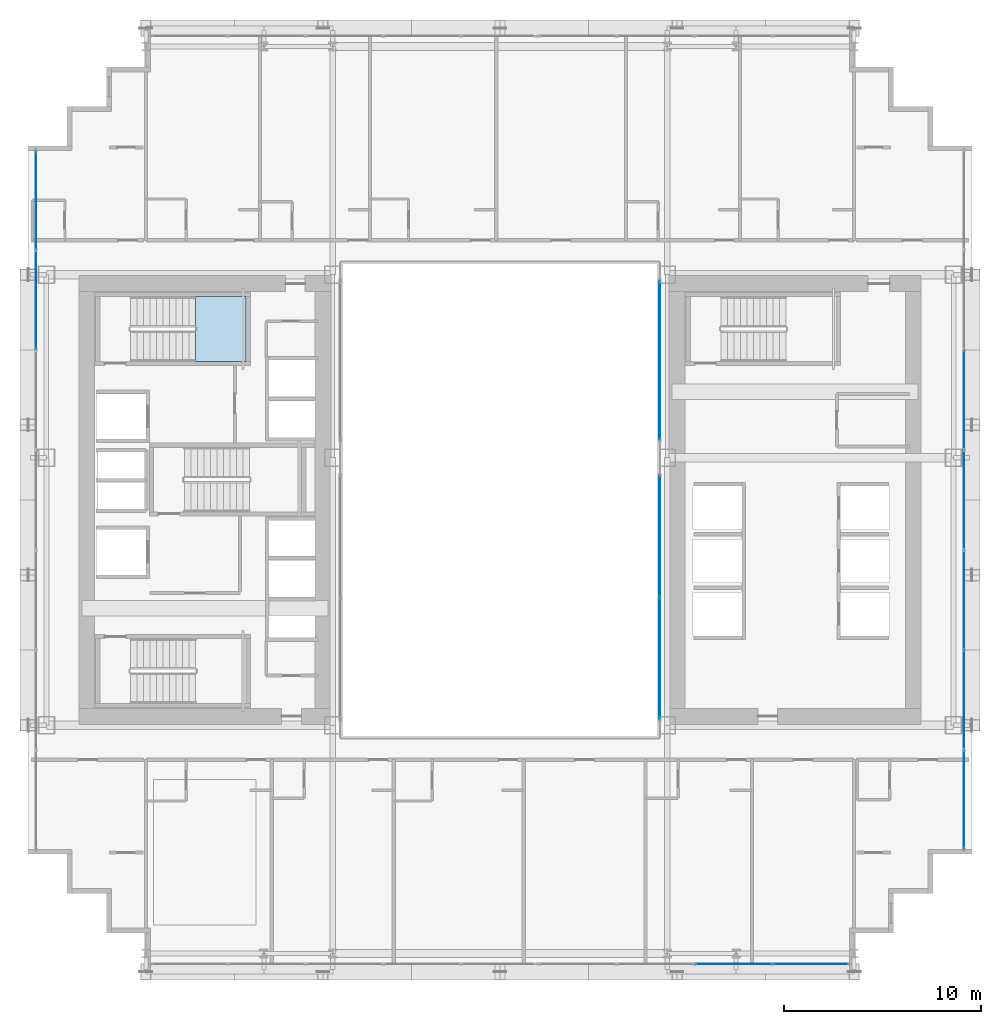
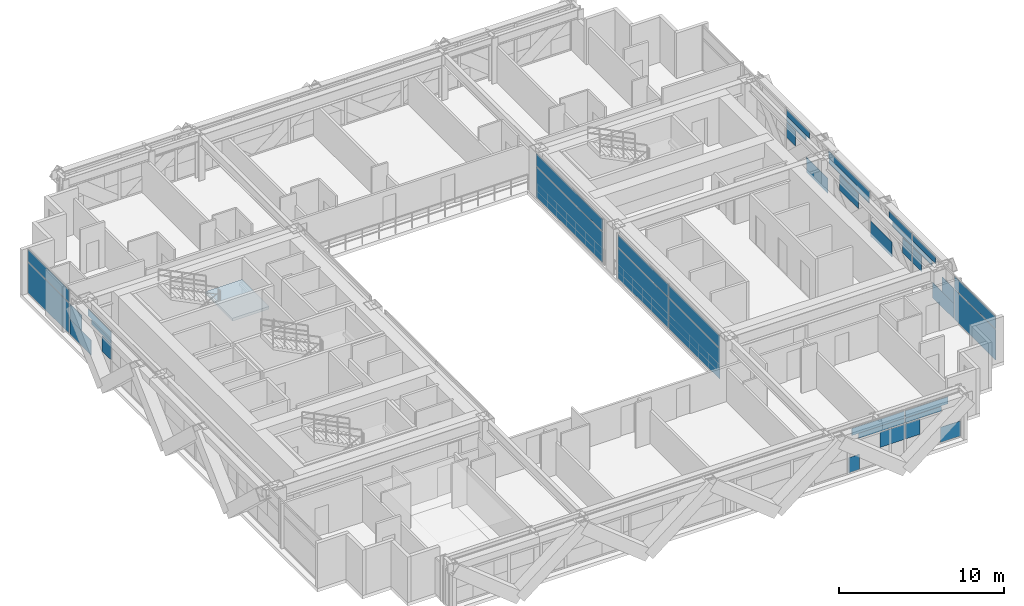
# One storey, part 29 of 41: 39 plates, 1 slab, 6 elements without a shape of their own.
"""IFC4 building model written with IfcOpenShell, lengths in metres."""

import ifcopenshell
import ifcopenshell.guid

model = None  # the IFC model being written
_history = None  # IfcOwnerHistory: only IFC2X3 demands one
_inside = {}  # id of a spatial element -> (the spatial element, [elements in it])
_under = {}  # id of a project, library or spatial element -> (it, [spatial elements below it])
_declared = {}  # id of a project -> (the project, [libraries it declares])
_typed = {}  # id of a type object -> (the type object, [elements of that type])
_made_of = {}  # id of a material, layer set ... -> (it, [elements and type objects made of it])


def new_model(schema):
    """Start an empty IFC model of exactly this schema.

    Asked for "IFC4X3", IfcOpenShell would pick the latest addendum, in which some entities
    have other attributes; the version numbers below select the first issue.
    IFC2X3 requires an IfcOwnerHistory on every rooted entity: one is made here for all.
    """
    global model, _history
    if schema == "IFC4X3":
        model = ifcopenshell.file(schema_version=(4, 3, 0, 0))
    else:
        model = ifcopenshell.file(schema=schema)
    _inside.clear()
    _under.clear()
    _declared.clear()
    _typed.clear()
    _made_of.clear()
    _history = None
    if model.schema == "IFC2X3":
        org = make("IfcOrganization", Name="unknown")
        user = make(
            "IfcPersonAndOrganization",
            ThePerson=make("IfcPerson", FamilyName="unknown"),
            TheOrganization=org,
        )
        app = make(
            "IfcApplication",
            ApplicationDeveloper=org,
            Version="unknown",
            ApplicationFullName="unknown",
            ApplicationIdentifier="unknown",
        )
        _history = make(
            "IfcOwnerHistory",
            OwningUser=user,
            OwningApplication=app,
            ChangeAction="ADDED",
            CreationDate=0,
        )
    return model


def make(cls, **values):
    """One entity of the class cls with the attributes given. An attribute that is None is left unset."""
    return model.create_entity(
        cls, **{name: value for name, value in values.items() if value is not None}
    )


def rooted(cls, **values):
    """An entity with a GlobalId (a new one), such as an element, a storey or a relation."""
    return make(cls, GlobalId=ifcopenshell.guid.new(), OwnerHistory=_history, **values)


def si_unit(unit_type, name, prefix=None):
    """IfcSIUnit, for example si_unit("LENGTHUNIT", "METRE", prefix="MILLI")."""
    return make("IfcSIUnit", UnitType=unit_type, Prefix=prefix, Name=name)


def assignment(units):
    """IfcUnitAssignment: the units of a project."""
    return None if units is None else make("IfcUnitAssignment", Units=units)


def point(xyz):
    """IfcCartesianPoint."""
    return None if xyz is None else make("IfcCartesianPoint", Coordinates=xyz)


def direction(xyz):
    """IfcDirection."""
    return None if xyz is None else make("IfcDirection", DirectionRatios=xyz)


def frame(location, z_axis=None, x_axis=None):
    """IfcAxis2Placement3D, a coordinate frame: its origin and axes. An axis left out is left unset."""
    return make(
        "IfcAxis2Placement3D",
        Location=point(location),
        Axis=direction(z_axis),
        RefDirection=direction(x_axis),
    )


def frame_2d(location, x_axis=None):
    """IfcAxis2Placement2D, a coordinate frame in the plane: its origin and x axis."""
    return make(
        "IfcAxis2Placement2D", Location=point(location), RefDirection=direction(x_axis)
    )


def origin():
    """The frame at (0, 0, 0) with its axes left unset."""
    return frame((0.0, 0.0, 0.0))


def origin_2d():
    """The frame at (0, 0) in the plane with its x axis left unset."""
    return frame_2d((0.0, 0.0))


def place(relative_to, where):
    """IfcLocalPlacement: puts the frame where relative to a parent placement (None: the world)."""
    return make(
        "IfcLocalPlacement", PlacementRelTo=relative_to, RelativePlacement=where
    )


def context(
    kind, dimensions, precision=None, world=None, true_north=None, identifier=None
):
    """IfcGeometricRepresentationContext, for example the 3D "Model" context."""
    return make(
        "IfcGeometricRepresentationContext",
        ContextIdentifier=identifier,
        ContextType=kind,
        CoordinateSpaceDimension=dimensions,
        Precision=precision,
        WorldCoordinateSystem=world,
        TrueNorth=true_north,
    )


def subcontext(parent, identifier, kind, view, scale=None):
    """IfcGeometricRepresentationSubContext, for example "Body" below "Model"."""
    return make(
        "IfcGeometricRepresentationSubContext",
        ContextIdentifier=identifier,
        ContextType=kind,
        ParentContext=parent,
        TargetScale=scale,
        TargetView=view,
    )


def project(units=None, contexts=None):
    """IfcProject with its units and contexts."""
    return rooted(
        "IfcProject",
        Name="project",
        RepresentationContexts=contexts,
        UnitsInContext=assignment(units),
    )


def spatial(cls, under=None, at=None, **own):
    """A site, building, storey or space (cls), placed at a placement, below another one or the project."""
    s = rooted(cls, ObjectPlacement=at, **own)
    if under is not None:
        _under.setdefault(under.id(), (under, []))[1].append(s)
    return s


def polyline(points):
    """IfcPolyline through the points."""
    return make("IfcPolyline", Points=[point(p) for p in points])


def profile(cls, at=None, kind="AREA", **sizes):
    """A parametric profile (cls). Its sizes go by their IFC names, for example OverallWidth=200.0."""
    return make(cls, ProfileType=kind, Position=at, **sizes)


def rectangle(**sizes):
    """IfcRectangleProfileDef."""
    return profile("IfcRectangleProfileDef", **sizes)


def outline(outer, holes=None, kind="AREA"):
    """IfcArbitraryClosedProfileDef: a profile drawn as a closed curve; with holes, ...WithVoids."""
    if holes is None:
        return make("IfcArbitraryClosedProfileDef", ProfileType=kind, OuterCurve=outer)
    return make(
        "IfcArbitraryProfileDefWithVoids",
        ProfileType=kind,
        OuterCurve=outer,
        InnerCurves=holes,
    )


def extrude(swept, where, along, depth):
    """IfcExtrudedAreaSolid: the profile swept, set in the frame where, extruded along a direction by depth."""
    return make(
        "IfcExtrudedAreaSolid",
        SweptArea=swept,
        Position=where,
        ExtrudedDirection=direction(along),
        Depth=depth,
    )


def shape(context_of_items, identifier, shape_type, items):
    """IfcShapeRepresentation: the items that make up one representation, for example the "Body"."""
    return make(
        "IfcShapeRepresentation",
        ContextOfItems=context_of_items,
        RepresentationIdentifier=identifier,
        RepresentationType=shape_type,
        Items=items,
    )


def source(mapping_origin, context_of_items, identifier, shape_type, items):
    """IfcRepresentationMap: a shape defined once, which mapped items show again and again."""
    return make(
        "IfcRepresentationMap",
        MappingOrigin=mapping_origin,
        MappedRepresentation=shape(context_of_items, identifier, shape_type, items),
    )


def transform(
    local_origin,
    x_axis=None,
    y_axis=None,
    z_axis=None,
    scale=None,
    scale2=None,
    scale3=None,
    uniform=True,
):
    """IfcCartesianTransformationOperator3D, or its non-uniform kind. x_axis, y_axis, z_axis: its Axis1, 2, 3."""
    if uniform:
        return make(
            "IfcCartesianTransformationOperator3D",
            Axis1=direction(x_axis),
            Axis2=direction(y_axis),
            LocalOrigin=point(local_origin),
            Scale=scale,
            Axis3=direction(z_axis),
        )
    return make(
        "IfcCartesianTransformationOperator3DnonUniform",
        Axis1=direction(x_axis),
        Axis2=direction(y_axis),
        LocalOrigin=point(local_origin),
        Scale=scale,
        Axis3=direction(z_axis),
        Scale2=scale2,
        Scale3=scale3,
    )


def mapped(mapping_source, mapping_target):
    """IfcMappedItem: shows the shape of a source again, moved by a transform."""
    return make(
        "IfcMappedItem", MappingSource=mapping_source, MappingTarget=mapping_target
    )


def material(Name=None, Category=None):
    """IfcMaterial."""
    return make("IfcMaterial", Name=Name, Category=Category)


def layer(
    of_material, thickness, ventilated=None, Name=None, Category=None, Priority=None
):
    """IfcMaterialLayer: one layer of a wall or slab, of a material (None: an air gap)."""
    return make(
        "IfcMaterialLayer",
        Material=of_material,
        LayerThickness=thickness,
        IsVentilated=ventilated,
        Name=Name,
        Category=Category,
        Priority=Priority,
    )


def layer_set(layers, Name=None):
    """IfcMaterialLayerSet."""
    return make("IfcMaterialLayerSet", MaterialLayers=layers, LayerSetName=Name)


def made_of(thing, what):
    """Note that an element or type object is made of a material, layer set ...; save() writes the relation."""
    if what is not None:
        _made_of.setdefault(what.id(), (what, []))[1].append(thing)
    return thing


def type_object(cls, material=None, **own):
    """A type object (cls), such as IfcWallType, which elements share."""
    return made_of(rooted(cls, **own), material)


def element(
    cls,
    number,
    at=None,
    inside=None,
    cuts=None,
    type_object=None,
    material=None,
    context=None,
    identifier="Body",
    shape_type=None,
    held_by="IfcProductDefinitionShape",
    body=None,
    shapes=None,
    **own,
):
    """One element of the class cls, such as IfcWall. Its Tag is "e" and its number.

    at: its placement. inside: the storey or other place that contains it. cuts: it is an
    opening in that element (IfcRelVoidsElement). A single representation is given by context,
    identifier, shape_type and body (its items); several are given by shapes. held_by: the class
    of the entity that holds the representations. save() writes the other relations.
    """
    e = rooted(cls, Tag="e%d" % number, ObjectPlacement=at, **own)
    if body is not None:
        shapes = [shape(context, identifier, shape_type, body)]
    if shapes is not None:
        e.Representation = make(held_by, Representations=shapes)
    if inside is not None:
        _inside.setdefault(inside.id(), (inside, []))[1].append(e)
    if cuts is not None:
        rooted(
            "IfcRelVoidsElement", RelatingBuildingElement=cuts, RelatedOpeningElement=e
        )
    if type_object is not None:
        _typed.setdefault(type_object.id(), (type_object, []))[1].append(e)
    return made_of(e, material)


def aggregate(whole, parts):
    """IfcRelAggregates: a whole, such as a stair, and the parts it consists of."""
    return rooted("IfcRelAggregates", RelatingObject=whole, RelatedObjects=parts)


def save(model, path):
    """Write the relations noted so far, then the file.

    IfcRelAggregates (storeys below a building ...), IfcRelContainedInSpatialStructure (elements
    in a storey), IfcRelDefinesByType, IfcRelAssociatesMaterial and IfcRelDeclares: one each for
    every whole, place, type object, material and project.
    """
    for whole, parts in _under.values():
        aggregate(whole, parts)
    for where, things in _inside.values():
        rooted(
            "IfcRelContainedInSpatialStructure",
            RelatedElements=things,
            RelatingStructure=where,
        )
    for kind, things in _typed.values():
        rooted("IfcRelDefinesByType", RelatedObjects=things, RelatingType=kind)
    for what, things in _made_of.values():
        rooted("IfcRelAssociatesMaterial", RelatedObjects=things, RelatingMaterial=what)
    for by, libraries in _declared.values():
        rooted("IfcRelDeclares", RelatingContext=by, RelatedDefinitions=libraries)
    model.write(path)


model = new_model("IFC4")

# Units and contexts
model_context = context("Model", 3, precision=1e-05, world=origin(), true_north=direction((0.0, 1.0)))
body_context = subcontext(model_context, "Body", "Model", "MODEL_VIEW")
ifc_project = project(units=[si_unit("LENGTHUNIT", "METRE"), si_unit("AREAUNIT", "SQUARE_METRE"), si_unit("VOLUMEUNIT", "CUBIC_METRE"), si_unit("PLANEANGLEUNIT", "RADIAN"), si_unit("MASSUNIT", "GRAM", prefix="KILO")], contexts=[model_context])

# Site, building, storey
site_placement = place(None, origin())
site = spatial("IfcSite", under=ifc_project, at=site_placement, CompositionType="ELEMENT")
building_placement = place(site_placement, origin())
building = spatial("IfcBuilding", under=site, at=building_placement, Name="Ocotamira Hotel", CompositionType="ELEMENT")
storey_placement = place(building_placement, frame((0.0, 0.0, 52.800048828125)))
storey = spatial("IfcBuildingStorey", under=building, at=storey_placement, Name="L12", CompositionType="ELEMENT", Elevation=52.800048828125)

# Stair, slab
ifc_material_1 = material(Name="Concrete C40/50", Category="concrete")
stair_type = type_object("IfcStairType", Name="ST-CORE-1560", PredefinedType="HALF_TURN_STAIR", material=ifc_material_1)
stair_placement = place(storey_placement, origin())
stair = element("IfcStair", 1, at=stair_placement, inside=storey, type_object=stair_type, Name="L12 Exit Stair ST-2", PredefinedType="HALF_TURN_STAIR")
ifc_layer_1 = layer(ifc_material_1, 0.199951171875)
ifc_layer_set_1 = layer_set([ifc_layer_1], Name="Concrete C40/50")
slab_type = type_object("IfcSlabType", Name="SLB-LAND-200", PredefinedType="LANDING", material=ifc_layer_set_1)
slab_placement = place(storey_placement, frame((0.0, 0.0, 1.599853515625)))
slab = element("IfcSlab", 2, at=slab_placement, type_object=slab_type, Name="ST-2 landing 1", PredefinedType="LANDING", context=body_context, shape_type="SweptSolid", body=[
    extrude(outline(polyline([(16.530029296875, 33.050048828125), (19.090087890625, 33.050048828125), (19.090087890625, 36.330078125), (16.530029296875, 36.330078125), (16.530029296875, 33.050048828125)])), origin(), (0.0, 0.0, 1.0), 0.2001953125),
])
aggregate(stair, [slab])

# Curtain wall, plate
ifc_material_2 = material(Name="Anodised pale-metal aluminium and solar glass", Category="aluminium")
ifc_layer_2 = layer(ifc_material_2, 0.179931640625)
ifc_layer_set_2 = layer_set([ifc_layer_2], Name="Anodised pale-metal aluminium and solar glass")
curtain_wall_type_1 = type_object("IfcCurtainWallType", Name="CW-SYS2-Z1", PredefinedType="NOTDEFINED", material=ifc_layer_set_2)
curtain_wall_1_placement = place(storey_placement, origin())
curtain_wall_1 = element("IfcCurtainWall", 3, at=curtain_wall_1_placement, inside=storey, type_object=curtain_wall_type_1, Name="L12 Curtain Wall CW-2 CW-L12-W", PredefinedType="NOTDEFINED")
ifc_material_3 = material(Name="Double-silver low-E insulated solar glass", Category="glass")
ifc_layer_3 = layer(ifc_material_3, 0.031982421875)
ifc_layer_set_3 = layer_set([ifc_layer_3], Name="Double-silver low-E insulated solar glass")
plate_type = type_object("IfcPlateType", Name="CWP-VISION-32", PredefinedType="CURTAIN_PANEL", material=ifc_layer_set_3)
shared_shape_1 = source(origin(), body_context, "Body", "SweptSolid", [
    extrude(rectangle(XDim=4.9658203125, YDim=0.031982421875, at=origin_2d()), origin(), (0.0, 0.0, 1.0), 2.237548828125),
])
plate_1_placement = place(storey_placement, frame((8.419921875, 41.237060546875, 0.07470703125), z_axis=(0.0, 0.0, 1.0), x_axis=(0.0, 1.0, 0.0)))
plate_1 = element("IfcPlate", 4, at=plate_1_placement, type_object=plate_type, Name="CW-2 panel 7.1", PredefinedType="CURTAIN_PANEL", context=body_context, shape_type="MappedRepresentation", body=[
    mapped(shared_shape_1, transform((0.0, 0.0, 0.0), scale=1.0)),
])

curtain_wall_2_placement = place(storey_placement, origin())
curtain_wall_2 = element("IfcCurtainWall", 5, at=curtain_wall_2_placement, inside=storey, type_object=curtain_wall_type_1, Name="L12 Curtain Wall CW-2 CW-L12-E", PredefinedType="NOTDEFINED")
plate_2_placement = place(storey_placement, frame((55.580078125, 10.762939453125, 0.07470703125), z_axis=(0.0, 0.0, 1.0), x_axis=(0.0, 1.0, 0.0)))
plate_2 = element("IfcPlate", 6, at=plate_2_placement, type_object=plate_type, Name="CW-2 panel 1.1", PredefinedType="CURTAIN_PANEL", context=body_context, shape_type="MappedRepresentation", body=[
    mapped(shared_shape_1, transform((0.0, 0.0, 0.0), scale=1.0)),
])

# Plate
shared_shape_2 = source(origin(), body_context, "Body", "SweptSolid", [
    extrude(rectangle(XDim=4.9658203125, YDim=0.031982421875, at=origin_2d()), origin(), (0.0, 0.0, 1.0), 0.887451171875),
])
plate_3_placement = place(storey_placement, frame((8.419921875, 41.237060546875, 2.3876953125), z_axis=(0.0, 0.0, 1.0), x_axis=(0.0, 1.0, 0.0)))
plate_3 = element("IfcPlate", 7, at=plate_3_placement, type_object=plate_type, Name="CW-2 panel 7.2", PredefinedType="CURTAIN_PANEL", context=body_context, shape_type="MappedRepresentation", body=[
    mapped(shared_shape_2, transform((0.0, 0.0, 0.0), scale=1.0)),
])

plate_4_placement = place(storey_placement, frame((55.580078125, 10.762939453125, 2.3876953125), z_axis=(0.0, 0.0, 1.0), x_axis=(0.0, 1.0, 0.0)))
plate_4 = element("IfcPlate", 8, at=plate_4_placement, type_object=plate_type, Name="CW-2 panel 1.2", PredefinedType="CURTAIN_PANEL", context=body_context, shape_type="MappedRepresentation", body=[
    mapped(shared_shape_2, transform((0.0, 0.0, 0.0), scale=1.0)),
])

shared_shape_3 = source(origin(), body_context, "Body", "SweptSolid", [
    extrude(rectangle(XDim=2.27978515625, YDim=0.031982421875, at=origin_2d()), origin(), (0.0, 0.0, 1.0), 1.11865234375),
])
plate_5_placement = place(storey_placement, frame((55.580078125, 26.0, 1.193603515625), z_axis=(0.0, 0.0, 1.0), x_axis=(0.0, 1.0, 0.0)))
plate_5 = element("IfcPlate", 9, at=plate_5_placement, type_object=plate_type, Name="CW-2 panel 4.1.1", PredefinedType="CURTAIN_PANEL", context=body_context, shape_type="MappedRepresentation", body=[
    mapped(shared_shape_3, transform((0.0, 0.0, 0.0), scale=1.0)),
])

# Curtain wall, plates
curtain_wall_3_placement = place(storey_placement, origin())
curtain_wall_3 = element("IfcCurtainWall", 10, at=curtain_wall_3_placement, inside=storey, type_object=curtain_wall_type_1, Name="L12 Curtain Wall CW-2 CW-L12-S1", PredefinedType="NOTDEFINED")
shared_shape_4 = source(origin(), body_context, "Body", "SweptSolid", [
    extrude(rectangle(XDim=1.382568359375, YDim=0.031982421875, at=origin_2d()), origin(), (0.0, 0.0, 1.0), 1.11865234375),
])
plate_6_placement = place(storey_placement, frame((49.02880859375, 2.419921875, 0.074951171875), z_axis=(0.0, 0.0, 1.0), x_axis=(1.0, 0.0, 0.0)))
plate_6 = element("IfcPlate", 11, at=plate_6_placement, type_object=plate_type, Name="CW-2 panel 9.1.2", PredefinedType="CURTAIN_PANEL", context=body_context, shape_type="MappedRepresentation", body=[
    mapped(shared_shape_4, transform((0.0, 0.0, 0.0), scale=1.0)),
])
shared_shape_5 = source(origin(), body_context, "Body", "SweptSolid", [
    extrude(rectangle(XDim=1.012451171875, YDim=0.031982421875, at=origin_2d()), origin(), (0.0, 0.0, 1.0), 1.11865234375),
])
plate_7_placement = place(storey_placement, frame((46.390625, 2.419921875, 1.193603515625), z_axis=(0.0, 0.0, 1.0), x_axis=(1.0, 0.0, 0.0)))
plate_7 = element("IfcPlate", 12, at=plate_7_placement, type_object=plate_type, Name="CW-2 panel 9.1.1", PredefinedType="CURTAIN_PANEL", context=body_context, shape_type="MappedRepresentation", body=[
    mapped(shared_shape_5, transform((0.0, 0.0, 0.0), scale=1.0)),
])
shared_shape_6 = source(origin(), body_context, "Body", "SweptSolid", [
    extrude(rectangle(XDim=2.9755859375, YDim=0.031982421875, at=origin_2d()), origin(), (0.0, 0.0, 1.0), 0.5107421875),
])
plate_8_placement = place(storey_placement, frame((47.372314453125, 2.419921875, 2.76416015625), z_axis=(0.0, 0.0, 1.0), x_axis=(1.0, 0.0, 0.0)))
plate_8 = element("IfcPlate", 13, at=plate_8_placement, type_object=plate_type, Name="CW-2 panel 9.2.2", PredefinedType="CURTAIN_PANEL", context=body_context, shape_type="MappedRepresentation", body=[
    mapped(shared_shape_6, transform((0.0, 0.0, 0.0), scale=1.0)),
])
shared_shape_7 = source(origin(), body_context, "Body", "SweptSolid", [
    extrude(rectangle(XDim=2.504638671875, YDim=0.031982421875, at=origin_2d()), origin(), (0.0, 0.0, 1.0), 0.345458984375),
])
plate_9_placement = place(storey_placement, frame((47.13671875, 2.419921875, 2.38720703125), z_axis=(0.0, 0.0, 1.0), x_axis=(1.0, 0.0, 0.0)))
plate_9 = element("IfcPlate", 14, at=plate_9_placement, type_object=plate_type, Name="CW-2 panel 9.2.1", PredefinedType="CURTAIN_PANEL", context=body_context, shape_type="MappedRepresentation", body=[
    mapped(shared_shape_7, transform((0.0, 0.0, 0.0), scale=1.0)),
])
shared_shape_8 = source(origin(), body_context, "Body", "SweptSolid", [
    extrude(rectangle(XDim=1.701416015625, YDim=0.031982421875, at=origin_2d()), origin(), (0.0, 0.0, 1.0), 1.11865234375),
])
plate_10_placement = place(storey_placement, frame((44.953857421875, 2.419921875, 1.193603515625), z_axis=(0.0, 0.0, 1.0), x_axis=(1.0, 0.0, 0.0)))
plate_10 = element("IfcPlate", 15, at=plate_10_placement, type_object=plate_type, Name="CW-2 panel 8.1.2", PredefinedType="CURTAIN_PANEL", context=body_context, shape_type="MappedRepresentation", body=[
    mapped(shared_shape_8, transform((0.0, 0.0, 0.0), scale=1.0)),
])
shared_shape_9 = source(origin(), body_context, "Body", "SweptSolid", [
    extrude(rectangle(XDim=0.733642578125, YDim=0.031982421875, at=origin_2d()), origin(), (0.0, 0.0, 1.0), 1.11865234375),
])
plate_11_placement = place(storey_placement, frame((42.295654296875, 2.419921875, 0.074951171875), z_axis=(0.0, 0.0, 1.0), x_axis=(1.0, 0.0, 0.0)))
plate_11 = element("IfcPlate", 16, at=plate_11_placement, type_object=plate_type, Name="CW-2 panel 8.1.1", PredefinedType="CURTAIN_PANEL", context=body_context, shape_type="MappedRepresentation", body=[
    mapped(shared_shape_9, transform((0.0, 0.0, 0.0), scale=1.0)),
])
shared_shape_10 = source(origin(), body_context, "Body", "SweptSolid", [
    extrude(rectangle(XDim=3.193603515625, YDim=0.031982421875, at=origin_2d()), origin(), (0.0, 0.0, 1.0), 0.376708984375),
])
plate_12_placement = place(storey_placement, frame((44.207763671875, 2.419921875, 2.3876953125), z_axis=(0.0, 0.0, 1.0), x_axis=(1.0, 0.0, 0.0)))
plate_12 = element("IfcPlate", 17, at=plate_12_placement, type_object=plate_type, Name="CW-2 panel 8.2.2", PredefinedType="CURTAIN_PANEL", context=body_context, shape_type="MappedRepresentation", body=[
    mapped(shared_shape_10, transform((0.0, 0.0, 0.0), scale=1.0)),
])
shared_shape_11 = source(origin(), body_context, "Body", "SweptSolid", [
    extrude(rectangle(XDim=3.664306640625, YDim=0.031982421875, at=origin_2d()), origin(), (0.0, 0.0, 1.0), 0.5107421875),
])
plate_13_placement = place(storey_placement, frame((43.972412109375, 2.419921875, 2.76416015625), z_axis=(0.0, 0.0, 1.0), x_axis=(1.0, 0.0, 0.0)))
plate_13 = element("IfcPlate", 18, at=plate_13_placement, type_object=plate_type, Name="CW-2 panel 8.2.1", PredefinedType="CURTAIN_PANEL", context=body_context, shape_type="MappedRepresentation", body=[
    mapped(shared_shape_11, transform((0.0, 0.0, 0.0), scale=1.0)),
])
aggregate(curtain_wall_3, [plate_11, plate_10, plate_13, plate_12, plate_7, plate_6, plate_9, plate_8])

# Plate
shared_shape_12 = source(origin(), body_context, "Body", "SweptSolid", [
    extrude(rectangle(XDim=2.58935546875, YDim=0.031982421875, at=origin_2d()), origin(), (0.0, 0.0, 1.0), 1.11865234375),
])
plate_14_placement = place(storey_placement, frame((8.419921875, 37.379638671875, 0.074951171875), z_axis=(0.0, 0.0, 1.0), x_axis=(0.0, 1.0, 0.0)))
plate_14 = element("IfcPlate", 19, at=plate_14_placement, type_object=plate_type, Name="CW-2 panel 6.1.2", PredefinedType="CURTAIN_PANEL", context=body_context, shape_type="MappedRepresentation", body=[
    mapped(shared_shape_12, transform((0.0, 0.0, 0.0), scale=1.0)),
])

plate_15_placement = place(storey_placement, frame((55.580078125, 14.620361328125, 0.074951171875), z_axis=(0.0, 0.0, 1.0), x_axis=(0.0, 1.0, 0.0)))
plate_15 = element("IfcPlate", 20, at=plate_15_placement, type_object=plate_type, Name="CW-2 panel 2.1.1", PredefinedType="CURTAIN_PANEL", context=body_context, shape_type="MappedRepresentation", body=[
    mapped(shared_shape_12, transform((0.0, 0.0, 0.0), scale=1.0)),
])

shared_shape_13 = source(origin(), body_context, "Body", "SweptSolid", [
    extrude(rectangle(XDim=1.4033203125, YDim=0.031982421875, at=origin_2d()), origin(), (0.0, 0.0, 1.0), 1.11865234375),
])
plate_16_placement = place(storey_placement, frame((8.419921875, 37.97265625, 1.193603515625), z_axis=(0.0, 0.0, 1.0), x_axis=(0.0, 1.0, 0.0)))
plate_16 = element("IfcPlate", 21, at=plate_16_placement, type_object=plate_type, Name="CW-2 panel 6.1.3", PredefinedType="CURTAIN_PANEL", context=body_context, shape_type="MappedRepresentation", body=[
    mapped(shared_shape_13, transform((0.0, 0.0, 0.0), scale=1.0)),
])

plate_17_placement = place(storey_placement, frame((55.580078125, 14.02734375, 1.193603515625), z_axis=(0.0, 0.0, 1.0), x_axis=(0.0, 1.0, 0.0)))
plate_17 = element("IfcPlate", 22, at=plate_17_placement, type_object=plate_type, Name="CW-2 panel 2.1.2", PredefinedType="CURTAIN_PANEL", context=body_context, shape_type="MappedRepresentation", body=[
    mapped(shared_shape_13, transform((0.0, 0.0, 0.0), scale=1.0)),
])

shared_shape_14 = source(origin(), body_context, "Body", "SweptSolid", [
    extrude(rectangle(XDim=1.104736328125, YDim=0.031982421875, at=origin_2d()), origin(), (0.0, 0.0, 1.0), 1.11865234375),
])
plate_18_placement = place(storey_placement, frame((8.419921875, 34.220947265625, 1.193603515625), z_axis=(0.0, 0.0, 1.0), x_axis=(0.0, 1.0, 0.0)))
plate_18 = element("IfcPlate", 23, at=plate_18_placement, type_object=plate_type, Name="CW-2 panel 6.1.1", PredefinedType="CURTAIN_PANEL", context=body_context, shape_type="MappedRepresentation", body=[
    mapped(shared_shape_14, transform((0.0, 0.0, 0.0), scale=1.0)),
])

plate_19_placement = place(storey_placement, frame((55.580078125, 17.779052734375, 1.193603515625), z_axis=(0.0, 0.0, 1.0), x_axis=(0.0, 1.0, 0.0)))
plate_19 = element("IfcPlate", 24, at=plate_19_placement, type_object=plate_type, Name="CW-2 panel 2.1.3", PredefinedType="CURTAIN_PANEL", context=body_context, shape_type="MappedRepresentation", body=[
    mapped(shared_shape_14, transform((0.0, 0.0, 0.0), scale=1.0)),
])

shared_shape_15 = source(origin(), body_context, "Body", "SweptSolid", [
    extrude(rectangle(XDim=2.796630859375, YDim=0.031982421875, at=origin_2d()), origin(), (0.0, 0.0, 1.0), 0.485107421875),
])
plate_20_placement = place(storey_placement, frame((8.419921875, 35.06689453125, 2.7900390625), z_axis=(0.0, 0.0, 1.0), x_axis=(0.0, 1.0, 0.0)))
plate_20 = element("IfcPlate", 25, at=plate_20_placement, type_object=plate_type, Name="CW-2 panel 6.2.2", PredefinedType="CURTAIN_PANEL", context=body_context, shape_type="MappedRepresentation", body=[
    mapped(shared_shape_15, transform((0.0, 0.0, 0.0), scale=1.0)),
])

plate_21_placement = place(storey_placement, frame((55.580078125, 16.93310546875, 2.7900390625), z_axis=(0.0, 0.0, 1.0), x_axis=(0.0, 1.0, 0.0)))
plate_21 = element("IfcPlate", 26, at=plate_21_placement, type_object=plate_type, Name="CW-2 panel 2.2.1", PredefinedType="CURTAIN_PANEL", context=body_context, shape_type="MappedRepresentation", body=[
    mapped(shared_shape_15, transform((0.0, 0.0, 0.0), scale=1.0)),
])

shared_shape_16 = source(origin(), body_context, "Body", "SweptSolid", [
    extrude(rectangle(XDim=2.3701171875, YDim=0.031982421875, at=origin_2d()), origin(), (0.0, 0.0, 1.0), 0.367919921875),
])
plate_22_placement = place(storey_placement, frame((8.419921875, 34.853759765625, 2.3876953125), z_axis=(0.0, 0.0, 1.0), x_axis=(0.0, 1.0, 0.0)))
plate_22 = element("IfcPlate", 27, at=plate_22_placement, type_object=plate_type, Name="CW-2 panel 6.2.1", PredefinedType="CURTAIN_PANEL", context=body_context, shape_type="MappedRepresentation", body=[
    mapped(shared_shape_16, transform((0.0, 0.0, 0.0), scale=1.0)),
])

aggregate(curtain_wall_1, [plate_18, plate_14, plate_16, plate_22, plate_20, plate_1, plate_3])

plate_23_placement = place(storey_placement, frame((55.580078125, 17.146240234375, 2.3876953125), z_axis=(0.0, 0.0, 1.0), x_axis=(0.0, 1.0, 0.0)))
plate_23 = element("IfcPlate", 28, at=plate_23_placement, type_object=plate_type, Name="CW-2 panel 2.2.2", PredefinedType="CURTAIN_PANEL", context=body_context, shape_type="MappedRepresentation", body=[
    mapped(shared_shape_16, transform((0.0, 0.0, 0.0), scale=1.0)),
])

shared_shape_17 = source(origin(), body_context, "Body", "SweptSolid", [
    extrude(rectangle(XDim=1.094970703125, YDim=0.031982421875, at=origin_2d()), origin(), (0.0, 0.0, 1.0), 1.11865234375),
])
plate_24_placement = place(storey_placement, frame((55.580078125, 18.958984375, 1.193603515625), z_axis=(0.0, 0.0, 1.0), x_axis=(0.0, 1.0, 0.0)))
plate_24 = element("IfcPlate", 29, at=plate_24_placement, type_object=plate_type, Name="CW-2 panel 3.1.1", PredefinedType="CURTAIN_PANEL", context=body_context, shape_type="MappedRepresentation", body=[
    mapped(shared_shape_17, transform((0.0, 0.0, 0.0), scale=1.0)),
])

plate_25_placement = place(storey_placement, frame((55.580078125, 33.041015625, 1.193603515625), z_axis=(0.0, 0.0, 1.0), x_axis=(0.0, 1.0, 0.0)))
plate_25 = element("IfcPlate", 30, at=plate_25_placement, type_object=plate_type, Name="CW-2 panel 5.1.2", PredefinedType="CURTAIN_PANEL", context=body_context, shape_type="MappedRepresentation", body=[
    mapped(shared_shape_17, transform((0.0, 0.0, 0.0), scale=1.0)),
])

shared_shape_18 = source(origin(), body_context, "Body", "SweptSolid", [
    extrude(rectangle(XDim=2.59912109375, YDim=0.031982421875, at=origin_2d()), origin(), (0.0, 0.0, 1.0), 1.11865234375),
])
plate_26_placement = place(storey_placement, frame((55.580078125, 22.11767578125, 0.074951171875), z_axis=(0.0, 0.0, 1.0), x_axis=(0.0, 1.0, 0.0)))
plate_26 = element("IfcPlate", 31, at=plate_26_placement, type_object=plate_type, Name="CW-2 panel 3.1.2", PredefinedType="CURTAIN_PANEL", context=body_context, shape_type="MappedRepresentation", body=[
    mapped(shared_shape_18, transform((0.0, 0.0, 0.0), scale=1.0)),
])

plate_27_placement = place(storey_placement, frame((55.580078125, 29.88232421875, 0.074951171875), z_axis=(0.0, 0.0, 1.0), x_axis=(0.0, 1.0, 0.0)))
plate_27 = element("IfcPlate", 32, at=plate_27_placement, type_object=plate_type, Name="CW-2 panel 5.1.1", PredefinedType="CURTAIN_PANEL", context=body_context, shape_type="MappedRepresentation", body=[
    mapped(shared_shape_18, transform((0.0, 0.0, 0.0), scale=1.0)),
])

shared_shape_19 = source(origin(), body_context, "Body", "SweptSolid", [
    extrude(rectangle(XDim=2.360595703125, YDim=0.031982421875, at=origin_2d()), origin(), (0.0, 0.0, 1.0), 0.367919921875),
])
plate_28_placement = place(storey_placement, frame((55.580078125, 19.591796875, 2.3876953125), z_axis=(0.0, 0.0, 1.0), x_axis=(0.0, 1.0, 0.0)))
plate_28 = element("IfcPlate", 33, at=plate_28_placement, type_object=plate_type, Name="CW-2 panel 3.2.1", PredefinedType="CURTAIN_PANEL", context=body_context, shape_type="MappedRepresentation", body=[
    mapped(shared_shape_19, transform((0.0, 0.0, 0.0), scale=1.0)),
])

plate_29_placement = place(storey_placement, frame((55.580078125, 32.408203125, 2.3876953125), z_axis=(0.0, 0.0, 1.0), x_axis=(0.0, 1.0, 0.0)))
plate_29 = element("IfcPlate", 34, at=plate_29_placement, type_object=plate_type, Name="CW-2 panel 5.2.2", PredefinedType="CURTAIN_PANEL", context=body_context, shape_type="MappedRepresentation", body=[
    mapped(shared_shape_19, transform((0.0, 0.0, 0.0), scale=1.0)),
])

shared_shape_20 = source(origin(), body_context, "Body", "SweptSolid", [
    extrude(rectangle(XDim=2.787109375, YDim=0.031982421875, at=origin_2d()), origin(), (0.0, 0.0, 1.0), 0.485107421875),
])
plate_30_placement = place(storey_placement, frame((55.580078125, 19.804931640625, 2.7900390625), z_axis=(0.0, 0.0, 1.0), x_axis=(0.0, 1.0, 0.0)))
plate_30 = element("IfcPlate", 35, at=plate_30_placement, type_object=plate_type, Name="CW-2 panel 3.2.2", PredefinedType="CURTAIN_PANEL", context=body_context, shape_type="MappedRepresentation", body=[
    mapped(shared_shape_20, transform((0.0, 0.0, 0.0), scale=1.0)),
])

plate_31_placement = place(storey_placement, frame((55.580078125, 32.195068359375, 2.7900390625), z_axis=(0.0, 0.0, 1.0), x_axis=(0.0, 1.0, 0.0)))
plate_31 = element("IfcPlate", 36, at=plate_31_placement, type_object=plate_type, Name="CW-2 panel 5.2.1", PredefinedType="CURTAIN_PANEL", context=body_context, shape_type="MappedRepresentation", body=[
    mapped(shared_shape_20, transform((0.0, 0.0, 0.0), scale=1.0)),
])

shared_shape_21 = source(origin(), body_context, "Body", "SweptSolid", [
    extrude(rectangle(XDim=5.005615234375, YDim=0.031982421875, at=origin_2d()), origin(), (0.0, 0.0, 1.0), 0.485107421875),
])
plate_32_placement = place(storey_placement, frame((55.580078125, 26.0, 2.7900390625), z_axis=(0.0, 0.0, 1.0), x_axis=(0.0, 1.0, 0.0)))
plate_32 = element("IfcPlate", 37, at=plate_32_placement, type_object=plate_type, Name="CW-2 panel 4.2.1", PredefinedType="CURTAIN_PANEL", context=body_context, shape_type="MappedRepresentation", body=[
    mapped(shared_shape_21, transform((0.0, 0.0, 0.0), scale=1.0)),
])

shared_shape_22 = source(origin(), body_context, "Body", "SweptSolid", [
    extrude(rectangle(XDim=4.81103515625, YDim=0.031982421875, at=origin_2d()), origin(), (0.0, 0.0, 1.0), 0.40234375),
])
plate_33_placement = place(storey_placement, frame((55.580078125, 26.0, 2.387451171875), z_axis=(0.0, 0.0, 1.0), x_axis=(0.0, 1.0, 0.0)))
plate_33 = element("IfcPlate", 38, at=plate_33_placement, type_object=plate_type, Name="CW-2 panel 4.2.2", PredefinedType="CURTAIN_PANEL", context=body_context, shape_type="MappedRepresentation", body=[
    mapped(shared_shape_22, transform((0.0, 0.0, 0.0), scale=1.0)),
])

aggregate(curtain_wall_2, [plate_2, plate_4, plate_15, plate_17, plate_19, plate_21, plate_23, plate_24, plate_26, plate_28, plate_30, plate_5, plate_32, plate_33, plate_27, plate_25, plate_31, plate_29])

# Curtain wall, plates
ifc_layer_4 = layer(ifc_material_2, 0.159912109375)
ifc_layer_set_4 = layer_set([ifc_layer_4], Name="Anodised pale-metal aluminium and solar glass")
curtain_wall_type_2 = type_object("IfcCurtainWallType", Name="CW-SYS6-ATR", PredefinedType="NOTDEFINED", material=ifc_layer_set_4)
curtain_wall_4_placement = place(storey_placement, origin())
curtain_wall_4 = element("IfcCurtainWall", 39, at=curtain_wall_4_placement, inside=storey, type_object=curtain_wall_type_2, Name="L12 Curtain Wall CW-6 CW-L12-ATRE1", PredefinedType="NOTDEFINED")
shared_shape_23 = source(origin(), body_context, "Body", "SweptSolid", [
    extrude(rectangle(XDim=6.1298828125, YDim=0.031982421875, at=origin_2d()), origin(), (0.0, 0.0, 1.0), 2.237548828125),
])
plate_34_placement = place(storey_placement, frame((40.1201171875, 17.945068359375, 0.07470703125), z_axis=(0.0, 0.0, 1.0), x_axis=(0.0, 1.0, 0.0)))
plate_34 = element("IfcPlate", 40, at=plate_34_placement, type_object=plate_type, Name="CW-6 panel 1.1", PredefinedType="CURTAIN_PANEL", context=body_context, shape_type="MappedRepresentation", body=[
    mapped(shared_shape_23, transform((0.0, 0.0, 0.0), scale=1.0)),
])
plate_35_placement = place(storey_placement, frame((40.1201171875, 24.155029296875, 0.07470703125), z_axis=(0.0, 0.0, 1.0), x_axis=(0.0, 1.0, 0.0)))
plate_35 = element("IfcPlate", 41, at=plate_35_placement, type_object=plate_type, Name="CW-6 panel 2.1", PredefinedType="CURTAIN_PANEL", context=body_context, shape_type="MappedRepresentation", body=[
    mapped(shared_shape_23, transform((0.0, 0.0, 0.0), scale=1.0)),
])
shared_shape_24 = source(origin(), body_context, "Body", "SweptSolid", [
    extrude(rectangle(XDim=6.1298828125, YDim=0.031982421875, at=origin_2d()), origin(), (0.0, 0.0, 1.0), 0.887451171875),
])
plate_36_placement = place(storey_placement, frame((40.1201171875, 17.945068359375, 2.3876953125), z_axis=(0.0, 0.0, 1.0), x_axis=(0.0, 1.0, 0.0)))
plate_36 = element("IfcPlate", 42, at=plate_36_placement, type_object=plate_type, Name="CW-6 panel 1.2", PredefinedType="CURTAIN_PANEL", context=body_context, shape_type="MappedRepresentation", body=[
    mapped(shared_shape_24, transform((0.0, 0.0, 0.0), scale=1.0)),
])
plate_37_placement = place(storey_placement, frame((40.1201171875, 24.155029296875, 2.3876953125), z_axis=(0.0, 0.0, 1.0), x_axis=(0.0, 1.0, 0.0)))
plate_37 = element("IfcPlate", 43, at=plate_37_placement, type_object=plate_type, Name="CW-6 panel 2.2", PredefinedType="CURTAIN_PANEL", context=body_context, shape_type="MappedRepresentation", body=[
    mapped(shared_shape_24, transform((0.0, 0.0, 0.0), scale=1.0)),
])
aggregate(curtain_wall_4, [plate_34, plate_36, plate_35, plate_37])

curtain_wall_5_placement = place(storey_placement, origin())
curtain_wall_5 = element("IfcCurtainWall", 44, at=curtain_wall_5_placement, inside=storey, type_object=curtain_wall_type_2, Name="L12 Curtain Wall CW-6 CW-L12-ATRE2", PredefinedType="NOTDEFINED")
shared_shape_25 = source(origin(), body_context, "Body", "SweptSolid", [
    extrude(rectangle(XDim=8.0400390625, YDim=0.031982421875, at=origin_2d()), origin(), (0.0, 0.0, 1.0), 2.237548828125),
])
plate_38_placement = place(storey_placement, frame((40.1201171875, 33.10009765625, 0.07470703125), z_axis=(0.0, 0.0, 1.0), x_axis=(0.0, 1.0, 0.0)))
plate_38 = element("IfcPlate", 45, at=plate_38_placement, type_object=plate_type, Name="CW-6 panel 1.1", PredefinedType="CURTAIN_PANEL", context=body_context, shape_type="MappedRepresentation", body=[
    mapped(shared_shape_25, transform((0.0, 0.0, 0.0), scale=1.0)),
])
shared_shape_26 = source(origin(), body_context, "Body", "SweptSolid", [
    extrude(rectangle(XDim=8.0400390625, YDim=0.031982421875, at=origin_2d()), origin(), (0.0, 0.0, 1.0), 0.887451171875),
])
plate_39_placement = place(storey_placement, frame((40.1201171875, 33.10009765625, 2.3876953125), z_axis=(0.0, 0.0, 1.0), x_axis=(0.0, 1.0, 0.0)))
plate_39 = element("IfcPlate", 46, at=plate_39_placement, type_object=plate_type, Name="CW-6 panel 1.2", PredefinedType="CURTAIN_PANEL", context=body_context, shape_type="MappedRepresentation", body=[
    mapped(shared_shape_26, transform((0.0, 0.0, 0.0), scale=1.0)),
])
aggregate(curtain_wall_5, [plate_38, plate_39])

save(model, "model.ifc")
